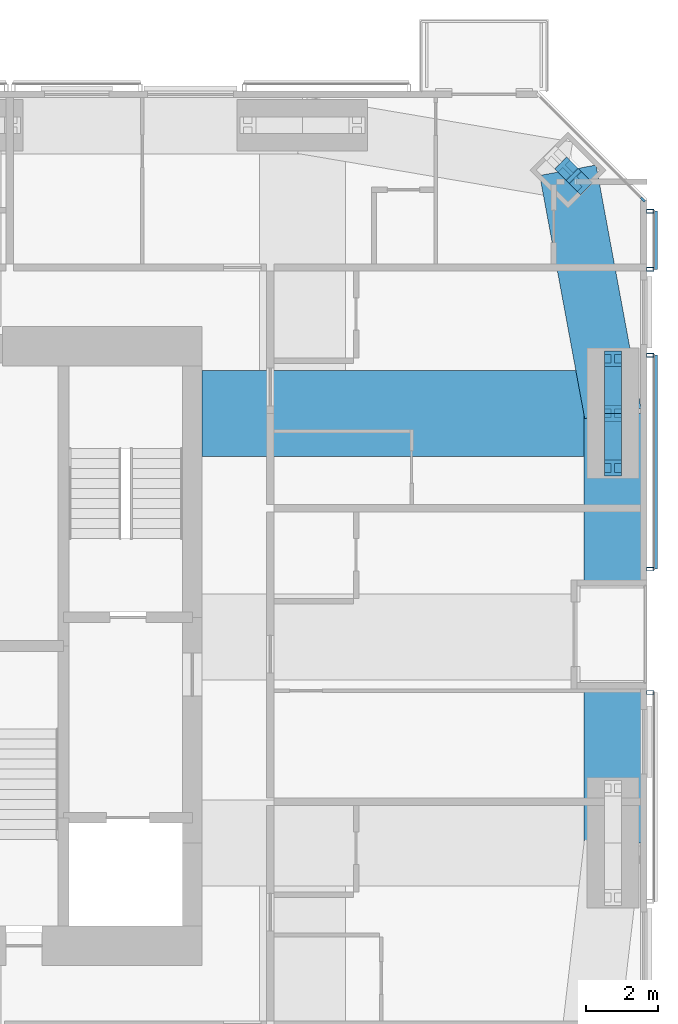
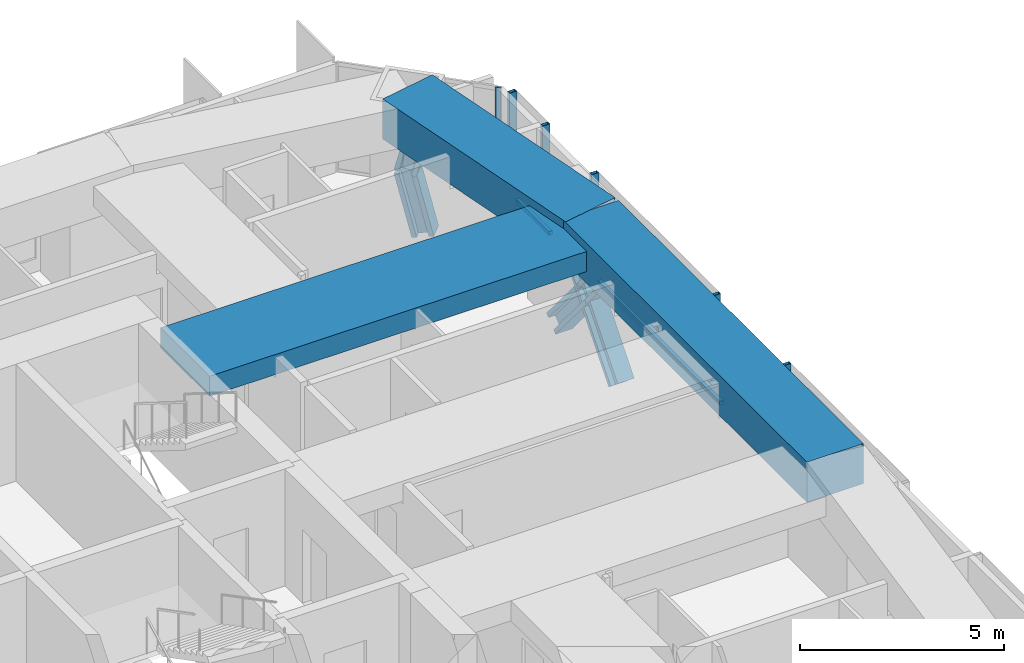
# One storey, part 9 of 19: 14 members, 3 beams, 4 elements without a shape of their own.
"""IFC4 building model written with IfcOpenShell, lengths in metres."""

from ifc_helpers import new_model, si_unit, direction, frame, origin, origin_2d, place, context, subcontext, project, spatial, rectangle, hollow_rectangle, i_section, extrude, material, material_profile, profile_set, type_object, element, aggregate, save


model = new_model("IFC4")

# Units and contexts
model_context = context("Model", 3, precision=1e-05, world=origin(), true_north=direction((0.0, 1.0)))
body_context = subcontext(model_context, "Body", "Model", "MODEL_VIEW")
ifc_project = project(units=[si_unit("LENGTHUNIT", "METRE"), si_unit("AREAUNIT", "SQUARE_METRE"), si_unit("VOLUMEUNIT", "CUBIC_METRE"), si_unit("PLANEANGLEUNIT", "RADIAN"), si_unit("MASSUNIT", "GRAM", prefix="KILO")], contexts=[model_context])

# Site, building, storey
site_placement = place(None, origin())
site = spatial("IfcSite", under=ifc_project, at=site_placement, CompositionType="ELEMENT")
building_placement = place(site_placement, origin())
building = spatial("IfcBuilding", under=site, at=building_placement, Name="Jalousie Tower", CompositionType="ELEMENT")
storey_placement = place(building_placement, frame((0.0, 0.0, 217.949951171875)))
storey = spatial("IfcBuildingStorey", under=building, at=storey_placement, Name="L59", CompositionType="ELEMENT", Elevation=217.949951171875)

# Curtain wall, member
ifc_material_1 = material(Name="Aluminium curtain wall", Category="aluminium")
curtain_wall_type_1 = type_object("IfcCurtainWallType", Name="CORNER WINDOW WALL", PredefinedType="USERDEFINED", material=ifc_material_1)
curtain_wall_1_placement = place(storey_placement, origin())
curtain_wall_1 = element("IfcCurtainWall", 1, at=curtain_wall_1_placement, inside=storey, type_object=curtain_wall_type_1, Name="Corner Window Wall L59 4", ObjectType="CORNER WINDOW WALL", PredefinedType="USERDEFINED")
ifc_material_2 = material(Name="Aluminium mullion", Category="aluminium")
ifc_material_profile_1 = material_profile(ifc_material_2, rectangle(XDim=0.06005859375, YDim=0.14990234375, at=origin_2d()), Name="MULLION 60x150")
ifc_profile_set_1 = profile_set([ifc_material_profile_1], Name="Aluminium mullion")
member_type_1 = type_object("IfcMemberType", Name="CORNER WINDOW WALL MULLION", PredefinedType="MULLION", material=ifc_profile_set_1)
member_1_placement = place(storey_placement, frame((56.391357421875, 30.969970703125, 0.0), z_axis=(0.0, 0.0, 1.0), x_axis=(-0.707106781187, -0.707106781187, 0.0)))
member_1 = element("IfcMember", 2, at=member_1_placement, type_object=member_type_1, Name="CW-C mullion 1", PredefinedType="MULLION", context=body_context, shape_type="SweptSolid", body=[
    extrude(rectangle(XDim=0.06005859375, YDim=0.14990234375, at=origin_2d()), origin(), (0.0, 0.0, 1.0), 3.260009765625),
])
aggregate(curtain_wall_1, [member_1])

# Members
ifc_material_3 = material(Name="Steel ASTM A992 Grade 50", Category="steel")
ifc_material_profile_2 = material_profile(ifc_material_3, i_section(OverallWidth=0.472412109375, OverallDepth=0.5791015625, WebThickness=0.094970703125, FlangeThickness=0.1298828125, at=origin_2d()), Name="W14X808")
ifc_profile_set_2 = profile_set([ifc_material_profile_2], Name="Steel ASTM A992 Grade 50")
member_type_2 = type_object("IfcMemberType", Name="PERIMETER BRACE W14X808", PredefinedType="BRACE", material=ifc_profile_set_2)
member_2_placement = place(storey_placement, frame((55.550048828125, 23.47509765625, -0.75), z_axis=(0.0, 0.641203686759, 0.767370726629), x_axis=(-1.0, 0.0, 0.0)))
element("IfcMember", 3, at=member_2_placement, inside=storey, type_object=member_type_2, Name="Perimeter brace 07 L59 part 1", PredefinedType="BRACE", context=body_context, shape_type="SweptSolid", body=[
    extrude(i_section(OverallWidth=0.472412109375, OverallDepth=0.5791015625, WebThickness=0.094970703125, FlangeThickness=0.1298828125, at=origin_2d()), origin(), (0.0, 0.0, 1.0), 2.378173828125),
])
member_3_placement = place(storey_placement, frame((55.550048828125, 25.0, 1.074951171875), z_axis=(0.0, 0.641153177267, 0.767412928794), x_axis=(-1.0, 0.0, 0.0)))
element("IfcMember", 4, at=member_3_placement, inside=storey, type_object=member_type_2, Name="Perimeter brace 07 L59 part 2", PredefinedType="BRACE", context=body_context, shape_type="SweptSolid", body=[
    extrude(i_section(OverallWidth=0.472412109375, OverallDepth=0.5791015625, WebThickness=0.094970703125, FlangeThickness=0.1298828125, at=origin_2d()), origin(), (0.0, 0.0, 1.0), 2.37841796875),
])
member_4_placement = place(storey_placement, frame((55.550048828125, 26.52490234375, -0.75), z_axis=(0.0, -0.641203686759, 0.767370726629), x_axis=(1.0, 0.0, 0.0)))
element("IfcMember", 5, at=member_4_placement, inside=storey, type_object=member_type_2, Name="Perimeter brace 07 L59 part 3", PredefinedType="BRACE", context=body_context, shape_type="SweptSolid", body=[
    extrude(i_section(OverallWidth=0.472412109375, OverallDepth=0.5791015625, WebThickness=0.094970703125, FlangeThickness=0.1298828125, at=origin_2d()), origin(), (0.0, 0.0, 1.0), 2.378173828125),
])
member_5_placement = place(storey_placement, frame((55.550048828125, 25.0, 1.074951171875), z_axis=(0.0, -0.641153177267, 0.767412928794), x_axis=(1.0, 0.0, 0.0)))
element("IfcMember", 6, at=member_5_placement, inside=storey, type_object=member_type_2, Name="Perimeter brace 07 L59 part 4", PredefinedType="BRACE", context=body_context, shape_type="SweptSolid", body=[
    extrude(i_section(OverallWidth=0.472412109375, OverallDepth=0.5791015625, WebThickness=0.094970703125, FlangeThickness=0.1298828125, at=origin_2d()), origin(), (0.0, 0.0, 1.0), 2.37841796875),
])
member_6_placement = place(storey_placement, frame((54.611083984375, 31.474609375, -0.75), z_axis=(-0.16924383095, 0.169373718771, 0.970911463047), x_axis=(-0.707377963048, -0.706835495285, 0.0)))
element("IfcMember", 7, at=member_6_placement, inside=storey, type_object=member_type_2, Name="Perimeter brace 08 L59 part 1", PredefinedType="BRACE", context=body_context, shape_type="SweptSolid", body=[
    extrude(i_section(OverallWidth=0.472412109375, OverallDepth=0.5791015625, WebThickness=0.094970703125, FlangeThickness=0.1298828125, at=origin_2d()), origin(), (0.0, 0.0, 1.0), 1.879638671875),
])
member_7_placement = place(storey_placement, frame((54.29296875, 31.79296875, 1.074951171875), z_axis=(0.169222490292, -0.169352361735, 0.970918908228), x_axis=(0.707377963048, 0.706835495285, 0.0)))
element("IfcMember", 8, at=member_7_placement, inside=storey, type_object=member_type_2, Name="Perimeter brace 08 L59 part 4", PredefinedType="BRACE", context=body_context, shape_type="SweptSolid", body=[
    extrude(i_section(OverallWidth=0.472412109375, OverallDepth=0.5791015625, WebThickness=0.094970703125, FlangeThickness=0.1298828125, at=origin_2d()), origin(), (0.0, 0.0, 1.0), 1.8798828125),
])

# Beams
ifc_material_4 = material(Name="Concrete f'c 40 MPa", Category="concrete")
ifc_material_profile_3 = material_profile(ifc_material_4, rectangle(XDim=1.60009765625, YDim=1.199951171875, at=origin_2d()), Name="RC 1600x1200")
ifc_profile_set_3 = profile_set([ifc_material_profile_3], Name="Concrete f'c 40 MPa")
beam_type_1 = type_object("IfcBeamType", Name="RC BEAM 1600x1200", PredefinedType="BEAM", material=ifc_profile_set_3)
beam_1_placement = place(storey_placement, frame((55.550048828125, 13.0, 2.900146484375), z_axis=(0.0, 1.0, 0.0), x_axis=(-1.0, 0.0, 0.0)))
element("IfcBeam", 9, at=beam_1_placement, inside=storey, type_object=beam_type_1, Name="Edge band beam 06-07 under L60", PredefinedType="BEAM", context=body_context, shape_type="SweptSolid", body=[
    extrude(rectangle(XDim=1.60009765625, YDim=1.199951171875, at=origin_2d()), origin(), (0.0, 0.0, 1.0), 12.0),
])
beam_2_placement = place(storey_placement, frame((55.550048828125, 25.0, 2.900146484375), z_axis=(-0.181966505593, 0.983304729391, 0.0), x_axis=(-0.983304729391, -0.181966505593, 0.0)))
element("IfcBeam", 10, at=beam_2_placement, inside=storey, type_object=beam_type_1, Name="Edge band beam 07-08 under L60", PredefinedType="BEAM", context=body_context, shape_type="SweptSolid", body=[
    extrude(rectangle(XDim=1.60009765625, YDim=1.199951171875, at=origin_2d()), origin(), (0.0, 0.0, 1.0), 6.908203125),
])
ifc_material_5 = material(Name="Concrete f'c 40 MPa", Category="concrete")
ifc_material_profile_4 = material_profile(ifc_material_5, rectangle(XDim=2.39990234375, YDim=0.60009765625, at=origin_2d()), Name="RC 2400x600")
ifc_profile_set_4 = profile_set([ifc_material_profile_4], Name="Concrete f'c 40 MPa")
beam_type_2 = type_object("IfcBeamType", Name="RC BEAM 2400x600", PredefinedType="BEAM", material=ifc_profile_set_4)
beam_3_placement = place(storey_placement, frame((55.550048828125, 25.0, 2.9599609375), z_axis=(-1.0, 0.0, 0.0), x_axis=(0.0, -1.0, 0.0)))
element("IfcBeam", 11, at=beam_3_placement, inside=storey, type_object=beam_type_2, Name="Floor band beam under L60", PredefinedType="BEAM", context=body_context, shape_type="SweptSolid", body=[
    extrude(rectangle(XDim=2.39990234375, YDim=0.60009765625, at=origin_2d()), origin(), (0.0, 0.0, 1.0), 11.47509765625),
])

# Curtain wall, member
ifc_material_6 = material(Name="Perforated aluminium sheet", Category="aluminium")
curtain_wall_type_2 = type_object("IfcCurtainWallType", Name="SOLAR SCREEN SS-2", PredefinedType="USERDEFINED", material=ifc_material_6)
curtain_wall_2_placement = place(storey_placement, origin())
curtain_wall_2 = element("IfcCurtainWall", 12, at=curtain_wall_2_placement, inside=storey, type_object=curtain_wall_type_2, Name="Solar screen L59", ObjectType="SOLAR SCREEN SS-2", PredefinedType="USERDEFINED")
ifc_material_7 = material(Name="Steel ASTM A500 Grade C", Category="steel")
ifc_material_profile_5 = material_profile(ifc_material_7, hollow_rectangle(XDim=0.1015625, YDim=0.203125, WallThickness=0.0078125, at=origin_2d()), Name="HSS8X4X5/16")
ifc_profile_set_5 = profile_set([ifc_material_profile_5], Name="Steel ASTM A500 Grade C")
member_type_3 = type_object("IfcMemberType", Name="SOLAR SCREEN SS-2 MULLION", PredefinedType="MULLION", material=ifc_profile_set_5)
member_8_placement = place(storey_placement, frame((56.5966796875, 17.199951171875, -0.119873046875), z_axis=(0.0, 0.0, 1.0), x_axis=(0.0, 1.0, 0.0)))
member_8 = element("IfcMember", 13, at=member_8_placement, type_object=member_type_3, Name="SS2 post 2", PredefinedType="MULLION", context=body_context, shape_type="SweptSolid", body=[
    extrude(hollow_rectangle(XDim=0.1015625, YDim=0.203125, WallThickness=0.0078125, at=origin_2d()), origin(), (0.0, 0.0, 1.0), 3.3798828125),
])
aggregate(curtain_wall_2, [member_8])

# Curtain wall, members
curtain_wall_3_placement = place(storey_placement, origin())
curtain_wall_3 = element("IfcCurtainWall", 14, at=curtain_wall_3_placement, inside=storey, type_object=curtain_wall_type_2, Name="Solar screen L59", ObjectType="SOLAR SCREEN SS-2", PredefinedType="USERDEFINED")
member_9_placement = place(storey_placement, frame((56.5966796875, 20.64990234375, -0.119873046875), z_axis=(0.0, 0.0, 1.0), x_axis=(0.0, 1.0, 0.0)))
member_9 = element("IfcMember", 15, at=member_9_placement, type_object=member_type_3, Name="SS2 post 1", PredefinedType="MULLION", context=body_context, shape_type="SweptSolid", body=[
    extrude(hollow_rectangle(XDim=0.1015625, YDim=0.203125, WallThickness=0.0078125, at=origin_2d()), origin(), (0.0, 0.0, 1.0), 3.3798828125),
])
member_10_placement = place(storey_placement, frame((56.5966796875, 26.625, -0.119873046875), z_axis=(0.0, 0.0, 1.0), x_axis=(0.0, 1.0, 0.0)))
member_10 = element("IfcMember", 16, at=member_10_placement, type_object=member_type_3, Name="SS2 post 2", PredefinedType="MULLION", context=body_context, shape_type="SweptSolid", body=[
    extrude(hollow_rectangle(XDim=0.1015625, YDim=0.203125, WallThickness=0.0078125, at=origin_2d()), origin(), (0.0, 0.0, 1.0), 3.3798828125),
])

curtain_wall_4_placement = place(storey_placement, origin())
curtain_wall_4 = element("IfcCurtainWall", 17, at=curtain_wall_4_placement, inside=storey, type_object=curtain_wall_type_2, Name="Solar screen L59", ObjectType="SOLAR SCREEN SS-2", PredefinedType="USERDEFINED")
member_11_placement = place(storey_placement, frame((56.5966796875, 29.02490234375, -0.119873046875), z_axis=(0.0, 0.0, 1.0), x_axis=(0.0, 1.0, 0.0)))
member_11 = element("IfcMember", 18, at=member_11_placement, type_object=member_type_3, Name="SS2 post 1", PredefinedType="MULLION", context=body_context, shape_type="SweptSolid", body=[
    extrude(hollow_rectangle(XDim=0.1015625, YDim=0.203125, WallThickness=0.0078125, at=origin_2d()), origin(), (0.0, 0.0, 1.0), 3.3798828125),
])
member_12_placement = place(storey_placement, frame((56.5966796875, 30.648681640625, -0.119873046875), z_axis=(0.0, 0.0, 1.0), x_axis=(0.0, 1.0, 0.0)))
member_12 = element("IfcMember", 19, at=member_12_placement, type_object=member_type_3, Name="SS2 post 2", PredefinedType="MULLION", context=body_context, shape_type="SweptSolid", body=[
    extrude(hollow_rectangle(XDim=0.1015625, YDim=0.203125, WallThickness=0.0078125, at=origin_2d()), origin(), (0.0, 0.0, 1.0), 3.3798828125),
])

# Member
ifc_material_8 = material(Name="Extruded aluminium screen rail", Category="aluminium")
ifc_material_profile_6 = material_profile(ifc_material_8, rectangle(XDim=0.1015625, YDim=0.1201171875, at=origin_2d()), Name="RAIL 102x120")
ifc_profile_set_6 = profile_set([ifc_material_profile_6], Name="Extruded aluminium screen rail")
member_type_4 = type_object("IfcMemberType", Name="SOLAR SCREEN SS-2 TRANSOM", PredefinedType="USERDEFINED", material=ifc_profile_set_6)
member_13_placement = place(storey_placement, frame((56.7490234375, 20.64990234375, -0.06005859375), z_axis=(0.0, 1.0, 0.0), x_axis=(-1.0, 0.0, 0.0)))
member_13 = element("IfcMember", 20, at=member_13_placement, type_object=member_type_4, Name="SS2 rail", ObjectType="TRANSOM", PredefinedType="USERDEFINED", context=body_context, shape_type="SweptSolid", body=[
    extrude(rectangle(XDim=0.1015625, YDim=0.1201171875, at=origin_2d()), origin(), (0.0, 0.0, 1.0), 5.97509765625),
])

aggregate(curtain_wall_3, [member_9, member_10, member_13])

member_14_placement = place(storey_placement, frame((56.7490234375, 29.02490234375, -0.06005859375), z_axis=(0.0, 1.0, 0.0), x_axis=(-1.0, 0.0, 0.0)))
member_14 = element("IfcMember", 21, at=member_14_placement, type_object=member_type_4, Name="SS2 rail", ObjectType="TRANSOM", PredefinedType="USERDEFINED", context=body_context, shape_type="SweptSolid", body=[
    extrude(rectangle(XDim=0.1015625, YDim=0.1201171875, at=origin_2d()), origin(), (0.0, 0.0, 1.0), 1.623779296875),
])

aggregate(curtain_wall_4, [member_11, member_12, member_14])

save(model, "model.ifc")
